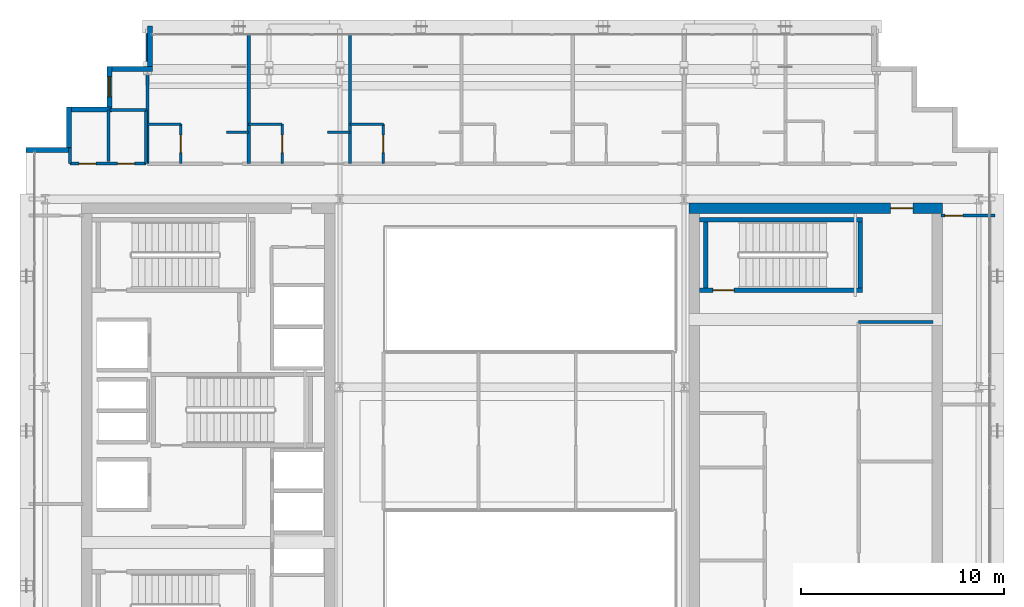
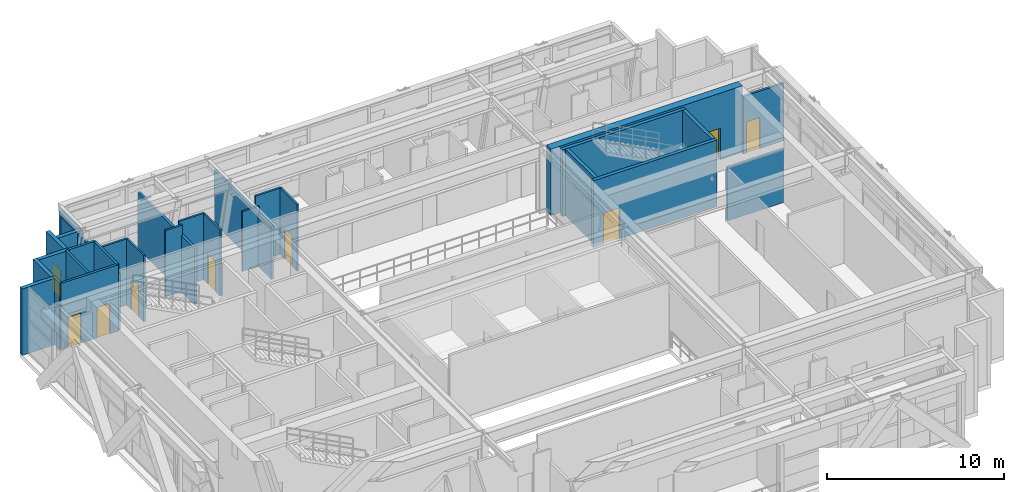
# One storey, part 26 of 31: 29 walls, 8 doors, 1 window, 9 openings.
"""IFC4 building model written with IfcOpenShell, lengths in metres."""

import ifcopenshell
import ifcopenshell.guid

model = None  # the IFC model being written
_history = None  # IfcOwnerHistory: only IFC2X3 demands one
_inside = {}  # id of a spatial element -> (the spatial element, [elements in it])
_under = {}  # id of a project, library or spatial element -> (it, [spatial elements below it])
_declared = {}  # id of a project -> (the project, [libraries it declares])
_typed = {}  # id of a type object -> (the type object, [elements of that type])
_made_of = {}  # id of a material, layer set ... -> (it, [elements and type objects made of it])


def new_model(schema):
    """Start an empty IFC model of exactly this schema.

    Asked for "IFC4X3", IfcOpenShell would pick the latest addendum, in which some entities
    have other attributes; the version numbers below select the first issue.
    IFC2X3 requires an IfcOwnerHistory on every rooted entity: one is made here for all.
    """
    global model, _history
    if schema == "IFC4X3":
        model = ifcopenshell.file(schema_version=(4, 3, 0, 0))
    else:
        model = ifcopenshell.file(schema=schema)
    _inside.clear()
    _under.clear()
    _declared.clear()
    _typed.clear()
    _made_of.clear()
    _history = None
    if model.schema == "IFC2X3":
        org = make("IfcOrganization", Name="unknown")
        user = make(
            "IfcPersonAndOrganization",
            ThePerson=make("IfcPerson", FamilyName="unknown"),
            TheOrganization=org,
        )
        app = make(
            "IfcApplication",
            ApplicationDeveloper=org,
            Version="unknown",
            ApplicationFullName="unknown",
            ApplicationIdentifier="unknown",
        )
        _history = make(
            "IfcOwnerHistory",
            OwningUser=user,
            OwningApplication=app,
            ChangeAction="ADDED",
            CreationDate=0,
        )
    return model


def make(cls, **values):
    """One entity of the class cls with the attributes given. An attribute that is None is left unset."""
    return model.create_entity(
        cls, **{name: value for name, value in values.items() if value is not None}
    )


def rooted(cls, **values):
    """An entity with a GlobalId (a new one), such as an element, a storey or a relation."""
    return make(cls, GlobalId=ifcopenshell.guid.new(), OwnerHistory=_history, **values)


def si_unit(unit_type, name, prefix=None):
    """IfcSIUnit, for example si_unit("LENGTHUNIT", "METRE", prefix="MILLI")."""
    return make("IfcSIUnit", UnitType=unit_type, Prefix=prefix, Name=name)


def assignment(units):
    """IfcUnitAssignment: the units of a project."""
    return None if units is None else make("IfcUnitAssignment", Units=units)


def point(xyz):
    """IfcCartesianPoint."""
    return None if xyz is None else make("IfcCartesianPoint", Coordinates=xyz)


def direction(xyz):
    """IfcDirection."""
    return None if xyz is None else make("IfcDirection", DirectionRatios=xyz)


def frame(location, z_axis=None, x_axis=None):
    """IfcAxis2Placement3D, a coordinate frame: its origin and axes. An axis left out is left unset."""
    return make(
        "IfcAxis2Placement3D",
        Location=point(location),
        Axis=direction(z_axis),
        RefDirection=direction(x_axis),
    )


def frame_2d(location, x_axis=None):
    """IfcAxis2Placement2D, a coordinate frame in the plane: its origin and x axis."""
    return make(
        "IfcAxis2Placement2D", Location=point(location), RefDirection=direction(x_axis)
    )


def origin():
    """The frame at (0, 0, 0) with its axes left unset."""
    return frame((0.0, 0.0, 0.0))


def place(relative_to, where):
    """IfcLocalPlacement: puts the frame where relative to a parent placement (None: the world)."""
    return make(
        "IfcLocalPlacement", PlacementRelTo=relative_to, RelativePlacement=where
    )


def context(
    kind, dimensions, precision=None, world=None, true_north=None, identifier=None
):
    """IfcGeometricRepresentationContext, for example the 3D "Model" context."""
    return make(
        "IfcGeometricRepresentationContext",
        ContextIdentifier=identifier,
        ContextType=kind,
        CoordinateSpaceDimension=dimensions,
        Precision=precision,
        WorldCoordinateSystem=world,
        TrueNorth=true_north,
    )


def subcontext(parent, identifier, kind, view, scale=None):
    """IfcGeometricRepresentationSubContext, for example "Body" below "Model"."""
    return make(
        "IfcGeometricRepresentationSubContext",
        ContextIdentifier=identifier,
        ContextType=kind,
        ParentContext=parent,
        TargetScale=scale,
        TargetView=view,
    )


def project(units=None, contexts=None):
    """IfcProject with its units and contexts."""
    return rooted(
        "IfcProject",
        Name="project",
        RepresentationContexts=contexts,
        UnitsInContext=assignment(units),
    )


def spatial(cls, under=None, at=None, **own):
    """A site, building, storey or space (cls), placed at a placement, below another one or the project."""
    s = rooted(cls, ObjectPlacement=at, **own)
    if under is not None:
        _under.setdefault(under.id(), (under, []))[1].append(s)
    return s


def profile(cls, at=None, kind="AREA", **sizes):
    """A parametric profile (cls). Its sizes go by their IFC names, for example OverallWidth=200.0."""
    return make(cls, ProfileType=kind, Position=at, **sizes)


def rectangle(**sizes):
    """IfcRectangleProfileDef."""
    return profile("IfcRectangleProfileDef", **sizes)


def extrude(swept, where, along, depth):
    """IfcExtrudedAreaSolid: the profile swept, set in the frame where, extruded along a direction by depth."""
    return make(
        "IfcExtrudedAreaSolid",
        SweptArea=swept,
        Position=where,
        ExtrudedDirection=direction(along),
        Depth=depth,
    )


def shape(context_of_items, identifier, shape_type, items):
    """IfcShapeRepresentation: the items that make up one representation, for example the "Body"."""
    return make(
        "IfcShapeRepresentation",
        ContextOfItems=context_of_items,
        RepresentationIdentifier=identifier,
        RepresentationType=shape_type,
        Items=items,
    )


def source(mapping_origin, context_of_items, identifier, shape_type, items):
    """IfcRepresentationMap: a shape defined once, which mapped items show again and again."""
    return make(
        "IfcRepresentationMap",
        MappingOrigin=mapping_origin,
        MappedRepresentation=shape(context_of_items, identifier, shape_type, items),
    )


def transform(
    local_origin,
    x_axis=None,
    y_axis=None,
    z_axis=None,
    scale=None,
    scale2=None,
    scale3=None,
    uniform=True,
):
    """IfcCartesianTransformationOperator3D, or its non-uniform kind. x_axis, y_axis, z_axis: its Axis1, 2, 3."""
    if uniform:
        return make(
            "IfcCartesianTransformationOperator3D",
            Axis1=direction(x_axis),
            Axis2=direction(y_axis),
            LocalOrigin=point(local_origin),
            Scale=scale,
            Axis3=direction(z_axis),
        )
    return make(
        "IfcCartesianTransformationOperator3DnonUniform",
        Axis1=direction(x_axis),
        Axis2=direction(y_axis),
        LocalOrigin=point(local_origin),
        Scale=scale,
        Axis3=direction(z_axis),
        Scale2=scale2,
        Scale3=scale3,
    )


def mapped(mapping_source, mapping_target):
    """IfcMappedItem: shows the shape of a source again, moved by a transform."""
    return make(
        "IfcMappedItem", MappingSource=mapping_source, MappingTarget=mapping_target
    )


def material(Name=None, Category=None):
    """IfcMaterial."""
    return make("IfcMaterial", Name=Name, Category=Category)


def layer(
    of_material, thickness, ventilated=None, Name=None, Category=None, Priority=None
):
    """IfcMaterialLayer: one layer of a wall or slab, of a material (None: an air gap)."""
    return make(
        "IfcMaterialLayer",
        Material=of_material,
        LayerThickness=thickness,
        IsVentilated=ventilated,
        Name=Name,
        Category=Category,
        Priority=Priority,
    )


def layer_set(layers, Name=None):
    """IfcMaterialLayerSet."""
    return make("IfcMaterialLayerSet", MaterialLayers=layers, LayerSetName=Name)


def made_of(thing, what):
    """Note that an element or type object is made of a material, layer set ...; save() writes the relation."""
    if what is not None:
        _made_of.setdefault(what.id(), (what, []))[1].append(thing)
    return thing


def type_object(cls, material=None, **own):
    """A type object (cls), such as IfcWallType, which elements share."""
    return made_of(rooted(cls, **own), material)


def element(
    cls,
    number,
    at=None,
    inside=None,
    cuts=None,
    type_object=None,
    material=None,
    context=None,
    identifier="Body",
    shape_type=None,
    held_by="IfcProductDefinitionShape",
    body=None,
    shapes=None,
    **own,
):
    """One element of the class cls, such as IfcWall. Its Tag is "e" and its number.

    at: its placement. inside: the storey or other place that contains it. cuts: it is an
    opening in that element (IfcRelVoidsElement). A single representation is given by context,
    identifier, shape_type and body (its items); several are given by shapes. held_by: the class
    of the entity that holds the representations. save() writes the other relations.
    """
    e = rooted(cls, Tag="e%d" % number, ObjectPlacement=at, **own)
    if body is not None:
        shapes = [shape(context, identifier, shape_type, body)]
    if shapes is not None:
        e.Representation = make(held_by, Representations=shapes)
    if inside is not None:
        _inside.setdefault(inside.id(), (inside, []))[1].append(e)
    if cuts is not None:
        rooted(
            "IfcRelVoidsElement", RelatingBuildingElement=cuts, RelatedOpeningElement=e
        )
    if type_object is not None:
        _typed.setdefault(type_object.id(), (type_object, []))[1].append(e)
    return made_of(e, material)


def fill(opening, filler):
    """IfcRelFillsElement: the door or window that sits in an opening."""
    return rooted(
        "IfcRelFillsElement",
        RelatingOpeningElement=opening,
        RelatedBuildingElement=filler,
    )


def aggregate(whole, parts):
    """IfcRelAggregates: a whole, such as a stair, and the parts it consists of."""
    return rooted("IfcRelAggregates", RelatingObject=whole, RelatedObjects=parts)


def save(model, path):
    """Write the relations noted so far, then the file.

    IfcRelAggregates (storeys below a building ...), IfcRelContainedInSpatialStructure (elements
    in a storey), IfcRelDefinesByType, IfcRelAssociatesMaterial and IfcRelDeclares: one each for
    every whole, place, type object, material and project.
    """
    for whole, parts in _under.values():
        aggregate(whole, parts)
    for where, things in _inside.values():
        rooted(
            "IfcRelContainedInSpatialStructure",
            RelatedElements=things,
            RelatingStructure=where,
        )
    for kind, things in _typed.values():
        rooted("IfcRelDefinesByType", RelatedObjects=things, RelatingType=kind)
    for what, things in _made_of.values():
        rooted("IfcRelAssociatesMaterial", RelatedObjects=things, RelatingMaterial=what)
    for by, libraries in _declared.values():
        rooted("IfcRelDeclares", RelatingContext=by, RelatedDefinitions=libraries)
    model.write(path)


model = new_model("IFC4")

# Units and contexts
model_context = context("Model", 3, precision=1e-05, world=origin(), true_north=direction((0.0, 1.0)))
body_context = subcontext(model_context, "Body", "Model", "MODEL_VIEW")
ifc_project = project(units=[si_unit("LENGTHUNIT", "METRE"), si_unit("AREAUNIT", "SQUARE_METRE"), si_unit("VOLUMEUNIT", "CUBIC_METRE"), si_unit("PLANEANGLEUNIT", "RADIAN"), si_unit("MASSUNIT", "GRAM", prefix="KILO")], contexts=[model_context])

# Site, building, storey
site_placement = place(None, origin())
site = spatial("IfcSite", under=ifc_project, at=site_placement, CompositionType="ELEMENT")
building_placement = place(site_placement, origin())
building = spatial("IfcBuilding", under=site, at=building_placement, Name="Ocotamira Hotel", CompositionType="ELEMENT")
storey_placement = place(building_placement, frame((0.0, 0.0, 228.0)))
storey = spatial("IfcBuildingStorey", under=building, at=storey_placement, Name="L57", CompositionType="ELEMENT", Elevation=228.0)

# Wall, opening, door
ifc_material_1 = material(Name="Concrete C50/60", Category="concrete")
ifc_layer_1 = layer(ifc_material_1, 0.5)
ifc_layer_set_1 = layer_set([ifc_layer_1], Name="Concrete C50/60")
wall_type_1 = type_object("IfcWallType", Name="WL-CORE-500", PredefinedType="SHEAR", material=ifc_layer_set_1)
wall_1_placement = place(storey_placement, frame((40.75, 37.0, 0.0), z_axis=(0.0, 0.0, 1.0), x_axis=(1.0, 0.0, 0.0)))
wall_1 = element("IfcWall", 1, at=wall_1_placement, inside=storey, type_object=wall_type_1, Name="L57 Shear Core Wall ECORE-N", PredefinedType="SHEAR", context=body_context, shape_type="SweptSolid", body=[
    extrude(rectangle(XDim=12.5, YDim=0.5, at=frame_2d((6.25, 0.0))), origin(), (0.0, 0.0, 1.0), 4.580078125),
])
opening_1_placement = place(wall_1_placement, frame((9.949951171875, 0.0, 0.0)))
opening_1 = element("IfcOpeningElement", 2, at=opening_1_placement, cuts=wall_1, Name="Opening D-FR1", PredefinedType="OPENING", context=body_context, shape_type="SweptSolid", body=[
    extrude(rectangle(XDim=1.10009765625, YDim=2.14990234375, at=frame_2d((0.550048828125, 1.074951171875))), frame((0.0, 0.260009765625, 0.0), z_axis=(0.0, -1.0, 0.0), x_axis=(1.0, 0.0, 0.0)), (0.0, 0.0, 1.0), 0.52001953125),
])
ifc_material_2 = material(Name="Fire-rated acoustic timber-veneer door", Category="wood")
door_type_1 = type_object("IfcDoorType", Name="DR-FIRE-1100", OperationType="NOTDEFINED", PredefinedType="DOOR", material=ifc_material_2)
shared_shape_1 = source(origin(), body_context, "Body", "SweptSolid", [
    extrude(rectangle(XDim=1.10009765625, YDim=2.14990234375, at=frame_2d((0.550048828125, 1.074951171875))), frame((0.0, 0.02490234375, 0.0), z_axis=(0.0, -1.0, 0.0), x_axis=(1.0, 0.0, 0.0)), (0.0, 0.0, 1.0), 0.050048828125),
])
door_1_placement = place(opening_1_placement, origin())
door_1 = element("IfcDoor", 3, at=door_1_placement, inside=storey, type_object=door_type_1, Name="L57 Door ID-L57-ELOB-N-D [ID-L57-ELOB-N-D]", OperationType="SINGLE_SWING_LEFT", OverallHeight=2.14990234375, OverallWidth=1.10009765625, PredefinedType="DOOR", context=body_context, shape_type="MappedRepresentation", body=[
    mapped(shared_shape_1, transform((0.0, 0.0, 0.0), scale=1.0)),
])
fill(opening_1, door_1)

# Walls
ifc_material_3 = material(Name="Precast concrete C45/55", Category="concrete")
ifc_layer_2 = layer(ifc_material_3, 0.25)
ifc_layer_set_2 = layer_set([ifc_layer_2], Name="Precast concrete C45/55")
wall_type_2 = type_object("IfcWallType", Name="WL-EXT-SER-250", PredefinedType="SOLIDWALL", material=ifc_layer_set_2)
for number, where, z_axis, x_axis, name in (
    (4, (14.125, 46.0, 0.0), (0.0, 0.0, 1.0), (0.0, -1.0, 0.0), "L57 Serrated Corner Wall 13"),
    (5, (14.25, 43.875, 0.0), (0.0, 0.0, 1.0), (-1.0, 0.0, 0.0), "L57 Serrated Corner Wall 14"),
):
    element("IfcWall", number, at=place(storey_placement, frame(where, z_axis=z_axis, x_axis=x_axis)), inside=storey, type_object=wall_type_2, Name=name, PredefinedType="SOLIDWALL", context=body_context, shape_type="SweptSolid", body=[
        extrude(rectangle(XDim=2.0, YDim=0.25, at=frame_2d((1.0, 0.0))), origin(), (0.0, 0.0, 1.0), 4.04296875),
    ])

# Wall, opening, window
wall_2_placement = place(storey_placement, frame((12.125, 44.0, 0.0), z_axis=(0.0, 0.0, 1.0), x_axis=(0.0, -1.0, 0.0)))
wall_2 = element("IfcWall", 6, at=wall_2_placement, inside=storey, type_object=wall_type_2, Name="L57 Serrated Corner Wall 15", PredefinedType="SOLIDWALL", context=body_context, shape_type="SweptSolid", body=[
    extrude(rectangle(XDim=2.0, YDim=0.25, at=frame_2d((1.0, 0.0))), origin(), (0.0, 0.0, 1.0), 4.580078125),
])
opening_2_placement = place(wall_2_placement, frame((0.5, 0.0, 0.85009765625)))
opening_2 = element("IfcOpeningElement", 7, at=opening_2_placement, cuts=wall_2, Name="Opening WN-2", PredefinedType="OPENING", context=body_context, shape_type="SweptSolid", body=[
    extrude(rectangle(XDim=1.0, YDim=1.89990234375, at=frame_2d((0.5, 0.949951171875))), frame((0.0, 0.135009765625, 0.0), z_axis=(0.0, -1.0, 0.0), x_axis=(1.0, 0.0, 0.0)), (0.0, 0.0, 1.0), 0.27001953125),
])
ifc_material_4 = material(Name="Double-silver low-E solar glass", Category="glass")
window_type = type_object("IfcWindowType", Name="WIN-SER-1100", PartitioningType="SINGLE_PANEL", PredefinedType="WINDOW", material=ifc_material_4)
shared_shape_2 = source(origin(), body_context, "Body", "SweptSolid", [
    extrude(rectangle(XDim=1.0, YDim=1.89990234375, at=frame_2d((0.5, 0.949951171875))), frame((0.0, 0.030029296875, 0.0), z_axis=(0.0, -1.0, 0.0), x_axis=(1.0, 0.0, 0.0)), (0.0, 0.0, 1.0), 0.06005859375),
])
window_placement = place(opening_2_placement, origin())
window = element("IfcWindow", 8, at=window_placement, inside=storey, type_object=window_type, Name="L57 Serrated Corner Window 15", OverallHeight=1.89990234375, OverallWidth=1.0, PartitioningType="SINGLE_PANEL", PredefinedType="WINDOW", context=body_context, shape_type="MappedRepresentation", body=[
    mapped(shared_shape_2, transform((0.0, 0.0, 0.0), scale=1.0)),
])
fill(opening_2, window)

# Walls
for number, where, z_axis, x_axis, name in (
    (9, (12.25, 41.875, 0.0), (0.0, 0.0, 1.0), (-1.0, 0.0, 0.0), "L57 Serrated Corner Wall 16"),
    (10, (10.125, 42.0, 0.0), (0.0, 0.0, 1.0), (0.0, -1.0, 0.0), "L57 Serrated Corner Wall 17"),
):
    element("IfcWall", number, at=place(storey_placement, frame(where, z_axis=z_axis, x_axis=x_axis)), inside=storey, type_object=wall_type_2, Name=name, PredefinedType="SOLIDWALL", context=body_context, shape_type="SweptSolid", body=[
        extrude(rectangle(XDim=2.0, YDim=0.25, at=frame_2d((1.0, 0.0))), origin(), (0.0, 0.0, 1.0), 4.580078125),
    ])
wall_3_placement = place(storey_placement, frame((10.25, 39.875, 0.0), z_axis=(0.0, 0.0, 1.0), x_axis=(-1.0, 0.0, 0.0)))
element("IfcWall", 11, at=wall_3_placement, inside=storey, type_object=wall_type_2, Name="L57 Serrated Corner Wall 18", PredefinedType="SOLIDWALL", context=body_context, shape_type="SweptSolid", body=[
    extrude(rectangle(XDim=2.25, YDim=0.25, at=frame_2d((1.125, 0.0))), origin(), (0.0, 0.0, 1.0), 4.580078125),
])
ifc_material_5 = material(Name="Acoustic double-layer fire gypsum board partition", Category="gypsum")
ifc_layer_3 = layer(ifc_material_5, 0.159912109375)
ifc_layer_set_3 = layer_set([ifc_layer_3], Name="Acoustic double-layer fire gypsum board partition")
wall_type_3 = type_object("IfcWallType", Name="WL-FIRE-160", PredefinedType="PARTITIONING", material=ifc_layer_set_3)
wall_4_placement = place(storey_placement, frame((49.1201171875, 31.3798828125, 0.0), z_axis=(0.0, 0.0, 1.0), x_axis=(1.0, 0.0, 0.0)))
element("IfcWall", 12, at=wall_4_placement, inside=storey, type_object=wall_type_3, Name="L57 Interior Wall PW-L57-EC-FLOW-N", PredefinedType="PARTITIONING", context=body_context, shape_type="SweptSolid", body=[
    extrude(rectangle(XDim=3.679931640625, YDim=0.159912109375, at=frame_2d((1.83984375, 0.0))), origin(), (0.0, 0.0, 1.0), 3.679931640625),
])

# Wall, opening, door
ifc_material_6 = material(Name="Moisture-resistant en-suite tile and gypsum partition", Category="gypsum")
ifc_layer_4 = layer(ifc_material_6, 0.1201171875)
ifc_layer_set_4 = layer_set([ifc_layer_4], Name="Moisture-resistant en-suite tile and gypsum partition")
wall_type_4 = type_object("IfcWallType", Name="WL-PART-120", PredefinedType="PARTITIONING", material=ifc_layer_set_4)
wall_5_placement = place(storey_placement, frame((15.64990234375, 39.199951171875, 0.0), z_axis=(0.0, 0.0, 1.0), x_axis=(0.0, 1.0, 0.0)))
wall_5 = element("IfcWall", 13, at=wall_5_placement, inside=storey, type_object=wall_type_4, Name="L57 Interior Wall PW-L57-L57N-BAE1", PredefinedType="PARTITIONING", context=body_context, shape_type="SweptSolid", body=[
    extrude(rectangle(XDim=1.949951171875, YDim=0.1201171875, at=frame_2d((0.97509765625, 0.0))), origin(), (0.0, 0.0, 1.0), 4.580078125),
])
opening_3_placement = place(wall_5_placement, frame((0.544921875, 0.0, 0.0)))
opening_3 = element("IfcOpeningElement", 14, at=opening_3_placement, cuts=wall_5, Name="Opening D-BA1", PredefinedType="OPENING", context=body_context, shape_type="SweptSolid", body=[
    extrude(rectangle(XDim=0.860107421875, YDim=2.10009765625, at=frame_2d((0.43017578125, 1.050048828125))), frame((0.0, 0.070068359375, 0.0), z_axis=(0.0, -1.0, 0.0), x_axis=(1.0, 0.0, 0.0)), (0.0, 0.0, 1.0), 0.14013671875),
])
ifc_material_7 = material(Name="Moisture-sealed en-suite timber door", Category="wood")
door_type_2 = type_object("IfcDoorType", Name="DR-BATH-860", OperationType="NOTDEFINED", PredefinedType="DOOR", material=ifc_material_7)
shared_shape_3 = source(origin(), body_context, "Body", "SweptSolid", [
    extrude(rectangle(XDim=0.860107421875, YDim=2.10009765625, at=frame_2d((0.43017578125, 1.050048828125))), frame((0.0, 0.02490234375, 0.0), z_axis=(0.0, -1.0, 0.0), x_axis=(1.0, 0.0, 0.0)), (0.0, 0.0, 1.0), 0.050048828125),
])
door_2_placement = place(opening_3_placement, origin())
door_2 = element("IfcDoor", 15, at=door_2_placement, inside=storey, type_object=door_type_2, Name="L57 Door ID-L57-L57N-BAD1 [ID-L57-L57N-BAD1]", OperationType="SINGLE_SWING_RIGHT", OverallHeight=2.10009765625, OverallWidth=0.860107421875, PredefinedType="DOOR", context=body_context, shape_type="MappedRepresentation", body=[
    mapped(shared_shape_3, transform((0.0, 0.0, 0.0), scale=1.0)),
])
fill(opening_3, door_2)

# Walls
wall_6_placement = place(storey_placement, frame((14.0, 41.14990234375, 0.0), z_axis=(0.0, 0.0, 1.0), x_axis=(1.0, 0.0, 0.0)))
element("IfcWall", 16, at=wall_6_placement, inside=storey, type_object=wall_type_4, Name="L57 Interior Wall PW-L57-L57N-BAN1", PredefinedType="PARTITIONING", context=body_context, shape_type="SweptSolid", body=[
    extrude(rectangle(XDim=1.64990234375, YDim=0.1201171875, at=frame_2d((0.824951171875, 0.0))), origin(), (0.0, 0.0, 1.0), 4.580078125),
])
wall_7_placement = place(storey_placement, frame((17.89990234375, 40.75, 0.0), z_axis=(0.0, 0.0, 1.0), x_axis=(1.0, 0.0, 0.0)))
element("IfcWall", 17, at=wall_7_placement, inside=storey, type_object=wall_type_4, Name="L57 Interior Wall PW-L57-L57N-DRN1", PredefinedType="PARTITIONING", context=body_context, shape_type="SweptSolid", body=[
    extrude(rectangle(XDim=1.10009765625, YDim=0.1201171875, at=frame_2d((0.550048828125, 0.0))), origin(), (0.0, 0.0, 1.0), 4.580078125),
])

# Wall, opening, door
wall_8_placement = place(storey_placement, frame((20.64990234375, 39.199951171875, 0.0), z_axis=(0.0, 0.0, 1.0), x_axis=(0.0, 1.0, 0.0)))
wall_8 = element("IfcWall", 18, at=wall_8_placement, inside=storey, type_object=wall_type_4, Name="L57 Interior Wall PW-L57-L57N-BAE2", PredefinedType="PARTITIONING", context=body_context, shape_type="SweptSolid", body=[
    extrude(rectangle(XDim=1.949951171875, YDim=0.1201171875, at=frame_2d((0.97509765625, 0.0))), origin(), (0.0, 0.0, 1.0), 4.580078125),
])
opening_4_placement = place(wall_8_placement, frame((0.544921875, 0.0, 0.0)))
opening_4 = element("IfcOpeningElement", 19, at=opening_4_placement, cuts=wall_8, Name="Opening D-BA1", PredefinedType="OPENING", context=body_context, shape_type="SweptSolid", body=[
    extrude(rectangle(XDim=0.860107421875, YDim=2.10009765625, at=frame_2d((0.43017578125, 1.050048828125))), frame((0.0, 0.070068359375, 0.0), z_axis=(0.0, -1.0, 0.0), x_axis=(1.0, 0.0, 0.0)), (0.0, 0.0, 1.0), 0.14013671875),
])
door_3_placement = place(opening_4_placement, origin())
door_3 = element("IfcDoor", 20, at=door_3_placement, inside=storey, type_object=door_type_2, Name="L57 Door ID-L57-L57N-BAD2 [ID-L57-L57N-BAD2]", OperationType="SINGLE_SWING_LEFT", OverallHeight=2.10009765625, OverallWidth=0.860107421875, PredefinedType="DOOR", context=body_context, shape_type="MappedRepresentation", body=[
    mapped(shared_shape_3, transform((0.0, 0.0, 0.0), scale=1.0)),
])
fill(opening_4, door_3)

# Walls
wall_9_placement = place(storey_placement, frame((19.0, 41.14990234375, 0.0), z_axis=(0.0, 0.0, 1.0), x_axis=(1.0, 0.0, 0.0)))
element("IfcWall", 21, at=wall_9_placement, inside=storey, type_object=wall_type_4, Name="L57 Interior Wall PW-L57-L57N-BAN2", PredefinedType="PARTITIONING", context=body_context, shape_type="SweptSolid", body=[
    extrude(rectangle(XDim=1.64990234375, YDim=0.1201171875, at=frame_2d((0.824951171875, 0.0))), origin(), (0.0, 0.0, 1.0), 4.580078125),
])
wall_10_placement = place(storey_placement, frame((22.89990234375, 40.75, 0.0), z_axis=(0.0, 0.0, 1.0), x_axis=(1.0, 0.0, 0.0)))
element("IfcWall", 22, at=wall_10_placement, inside=storey, type_object=wall_type_4, Name="L57 Interior Wall PW-L57-L57N-DRN2", PredefinedType="PARTITIONING", context=body_context, shape_type="SweptSolid", body=[
    extrude(rectangle(XDim=1.10009765625, YDim=0.1201171875, at=frame_2d((0.550048828125, 0.0))), origin(), (0.0, 0.0, 1.0), 4.123046875),
])

# Wall, opening, door
wall_11_placement = place(storey_placement, frame((25.64990234375, 39.199951171875, 0.0), z_axis=(0.0, 0.0, 1.0), x_axis=(0.0, 1.0, 0.0)))
wall_11 = element("IfcWall", 23, at=wall_11_placement, inside=storey, type_object=wall_type_4, Name="L57 Interior Wall PW-L57-L57N-BAE3", PredefinedType="PARTITIONING", context=body_context, shape_type="SweptSolid", body=[
    extrude(rectangle(XDim=1.949951171875, YDim=0.1201171875, at=frame_2d((0.97509765625, 0.0))), origin(), (0.0, 0.0, 1.0), 4.580078125),
])
opening_5_placement = place(wall_11_placement, frame((0.544921875, 0.0, 0.0)))
opening_5 = element("IfcOpeningElement", 24, at=opening_5_placement, cuts=wall_11, Name="Opening D-BA1", PredefinedType="OPENING", context=body_context, shape_type="SweptSolid", body=[
    extrude(rectangle(XDim=0.860107421875, YDim=2.10009765625, at=frame_2d((0.43017578125, 1.050048828125))), frame((0.0, 0.070068359375, 0.0), z_axis=(0.0, -1.0, 0.0), x_axis=(1.0, 0.0, 0.0)), (0.0, 0.0, 1.0), 0.14013671875),
])
door_4_placement = place(opening_5_placement, origin())
door_4 = element("IfcDoor", 25, at=door_4_placement, inside=storey, type_object=door_type_2, Name="L57 Door ID-L57-L57N-BAD3 [ID-L57-L57N-BAD3]", OperationType="SINGLE_SWING_RIGHT", OverallHeight=2.10009765625, OverallWidth=0.860107421875, PredefinedType="DOOR", context=body_context, shape_type="MappedRepresentation", body=[
    mapped(shared_shape_3, transform((0.0, 0.0, 0.0), scale=1.0)),
])
fill(opening_5, door_4)

# Wall
wall_12_placement = place(storey_placement, frame((24.0, 41.14990234375, 0.0), z_axis=(0.0, 0.0, 1.0), x_axis=(1.0, 0.0, 0.0)))
element("IfcWall", 26, at=wall_12_placement, inside=storey, type_object=wall_type_4, Name="L57 Interior Wall PW-L57-L57N-BAN3", PredefinedType="PARTITIONING", context=body_context, shape_type="SweptSolid", body=[
    extrude(rectangle(XDim=1.64990234375, YDim=0.1201171875, at=frame_2d((0.824951171875, 0.0))), origin(), (0.0, 0.0, 1.0), 4.580078125),
])

# Wall, opening, door
ifc_material_8 = material(Name="Acoustic hospitality gypsum board partition", Category="gypsum")
ifc_layer_5 = layer(ifc_material_8, 0.14990234375)
ifc_layer_set_5 = layer_set([ifc_layer_5], Name="Acoustic hospitality gypsum board partition")
wall_type_5 = type_object("IfcWallType", Name="WL-PART-150", PredefinedType="PARTITIONING", material=ifc_layer_set_5)
wall_13_placement = place(storey_placement, frame((53.179931640625, 36.639892578125, 0.0), z_axis=(0.0, 0.0, 1.0), x_axis=(1.0, 0.0, 0.0)))
wall_13 = element("IfcWall", 27, at=wall_13_placement, inside=storey, type_object=wall_type_5, Name="L57 Interior Wall PW-L57-L57E-WN", PredefinedType="PARTITIONING", context=body_context, shape_type="SweptSolid", body=[
    extrude(rectangle(XDim=2.66015625, YDim=0.14990234375, at=frame_2d((1.330078125, 0.0))), origin(), (0.0, 0.0, 1.0), 3.962890625),
])
opening_6_placement = place(wall_13_placement, frame((0.199951171875, 0.0, 0.0)))
opening_6 = element("IfcOpeningElement", 28, at=opening_6_placement, cuts=wall_13, Name="Opening D-SV2", PredefinedType="OPENING", context=body_context, shape_type="SweptSolid", body=[
    extrude(rectangle(XDim=0.8798828125, YDim=2.14990234375, at=frame_2d((0.43994140625, 1.074951171875))), frame((0.0, 0.0849609375, 0.0), z_axis=(0.0, -1.0, 0.0), x_axis=(1.0, 0.0, 0.0)), (0.0, 0.0, 1.0), 0.169921875),
])
ifc_material_9 = material(Name="Fire-rated painted steel service door", Category="steel")
door_type_3 = type_object("IfcDoorType", Name="DR-SERV-880", OperationType="NOTDEFINED", PredefinedType="DOOR", material=ifc_material_9)
shared_shape_4 = source(origin(), body_context, "Body", "SweptSolid", [
    extrude(rectangle(XDim=0.8798828125, YDim=2.14990234375, at=frame_2d((0.43994140625, 1.074951171875))), frame((0.0, 0.02490234375, 0.0), z_axis=(0.0, -1.0, 0.0), x_axis=(1.0, 0.0, 0.0)), (0.0, 0.0, 1.0), 0.050048828125),
])
door_5_placement = place(opening_6_placement, origin())
door_5 = element("IfcDoor", 29, at=door_5_placement, inside=storey, type_object=door_type_3, Name="L57 Door ID-L57-L57E-DN [ID-L57-L57E-DN]", OperationType="SINGLE_SWING_LEFT", OverallHeight=2.14990234375, OverallWidth=0.8798828125, PredefinedType="DOOR", context=body_context, shape_type="MappedRepresentation", body=[
    mapped(shared_shape_4, transform((0.0, 0.0, 0.0), scale=1.0)),
])
fill(opening_6, door_5)

# Walls
wall_14_placement = place(storey_placement, frame((12.080078125, 39.300048828125, 0.0), z_axis=(0.0, 0.0, 1.0), x_axis=(0.0, 1.0, 0.0)))
element("IfcWall", 30, at=wall_14_placement, inside=storey, type_object=wall_type_5, Name="L57 Interior Wall PW-L57-SKY-WCDIV", PredefinedType="PARTITIONING", context=body_context, shape_type="SweptSolid", body=[
    extrude(rectangle(XDim=2.550048828125, YDim=0.14990234375, at=frame_2d((1.27490234375, 0.0))), origin(), (0.0, 0.0, 1.0), 4.580078125),
])
wall_15_placement = place(storey_placement, frame((10.179931640625, 39.199951171875, 0.0), z_axis=(0.0, 0.0, 1.0), x_axis=(0.0, 1.0, 0.0)))
element("IfcWall", 31, at=wall_15_placement, inside=storey, type_object=wall_type_5, Name="L57 Interior Wall PW-L57-SKY-WCW", PredefinedType="PARTITIONING", context=body_context, shape_type="SweptSolid", body=[
    extrude(rectangle(XDim=0.780029296875, YDim=0.14990234375, at=frame_2d((0.39013671875, 0.0))), origin(), (0.0, 0.0, 1.0), 4.580078125),
])
wall_16_placement = place(storey_placement, frame((13.919921875, 39.199951171875, 0.0), z_axis=(0.0, 0.0, 1.0), x_axis=(0.0, 1.0, 0.0)))
element("IfcWall", 32, at=wall_16_placement, inside=storey, type_object=wall_type_5, Name="L57 Interior Wall PW-L57-SKY-WCE", PredefinedType="PARTITIONING", context=body_context, shape_type="SweptSolid", body=[
    extrude(rectangle(XDim=2.650146484375, YDim=0.14990234375, at=frame_2d((1.3251953125, 0.0))), origin(), (0.0, 0.0, 1.0), 4.580078125),
])
wall_17_placement = place(storey_placement, frame((12.14990234375, 41.85009765625, 0.0), z_axis=(0.0, 0.0, 1.0), x_axis=(1.0, 0.0, 0.0)))
element("IfcWall", 33, at=wall_17_placement, inside=storey, type_object=wall_type_5, Name="L57 Interior Wall PW-L57-SKY-WCN", PredefinedType="PARTITIONING", context=body_context, shape_type="SweptSolid", body=[
    extrude(rectangle(XDim=1.77001953125, YDim=0.14990234375, at=frame_2d((0.885009765625, 0.0))), origin(), (0.0, 0.0, 1.0), 4.580078125),
])

# Wall, openings, doors
wall_18_placement = place(storey_placement, frame((10.179931640625, 39.199951171875, 0.0), z_axis=(0.0, 0.0, 1.0), x_axis=(1.0, 0.0, 0.0)))
wall_18 = element("IfcWall", 34, at=wall_18_placement, inside=storey, type_object=wall_type_5, Name="L57 Interior Wall PW-L57-SKY-WCS", PredefinedType="PARTITIONING", context=body_context, shape_type="SweptSolid", body=[
    extrude(rectangle(XDim=3.739990234375, YDim=0.14990234375, at=frame_2d((1.8701171875, 0.0))), origin(), (0.0, 0.0, 1.0), 4.580078125),
])
opening_7_placement = place(wall_18_placement, frame((0.449951171875, 0.0, 0.0)))
opening_7 = element("IfcOpeningElement", 35, at=opening_7_placement, cuts=wall_18, Name="Opening D-SV1", PredefinedType="OPENING", context=body_context, shape_type="SweptSolid", body=[
    extrude(rectangle(XDim=0.840087890625, YDim=2.10009765625, at=frame_2d((0.419921875, 1.050048828125))), frame((0.0, 0.0849609375, 0.0), z_axis=(0.0, -1.0, 0.0), x_axis=(1.0, 0.0, 0.0)), (0.0, 0.0, 1.0), 0.169921875),
])
opening_8_placement = place(wall_18_placement, frame((2.35009765625, 0.0, 0.0)))
opening_8 = element("IfcOpeningElement", 36, at=opening_8_placement, cuts=wall_18, Name="Opening D-SV1", PredefinedType="OPENING", context=body_context, shape_type="SweptSolid", body=[
    extrude(rectangle(XDim=0.840087890625, YDim=2.10009765625, at=frame_2d((0.419921875, 1.050048828125))), frame((0.0, 0.0849609375, 0.0), z_axis=(0.0, -1.0, 0.0), x_axis=(1.0, 0.0, 0.0)), (0.0, 0.0, 1.0), 0.169921875),
])
door_type_4 = type_object("IfcDoorType", Name="DR-SERV-840", OperationType="NOTDEFINED", PredefinedType="DOOR", material=ifc_material_9)
shared_shape_5 = source(origin(), body_context, "Body", "SweptSolid", [
    extrude(rectangle(XDim=0.840087890625, YDim=2.10009765625, at=frame_2d((0.419921875, 1.050048828125))), frame((0.0, 0.02490234375, 0.0), z_axis=(0.0, -1.0, 0.0), x_axis=(1.0, 0.0, 0.0)), (0.0, 0.0, 1.0), 0.050048828125),
])
door_6_placement = place(opening_7_placement, origin())
door_6 = element("IfcDoor", 37, at=door_6_placement, inside=storey, type_object=door_type_4, Name="L57 Door ID-L57-SKY-WCD1 [ID-L57-SKY-WCD1]", OperationType="SINGLE_SWING_LEFT", OverallHeight=2.10009765625, OverallWidth=0.840087890625, PredefinedType="DOOR", context=body_context, shape_type="MappedRepresentation", body=[
    mapped(shared_shape_5, transform((0.0, 0.0, 0.0), scale=1.0)),
])
fill(opening_7, door_6)
door_7_placement = place(opening_8_placement, origin())
door_7 = element("IfcDoor", 38, at=door_7_placement, inside=storey, type_object=door_type_4, Name="L57 Door ID-L57-SKY-AWCD [ID-L57-SKY-AWCD]", OperationType="SINGLE_SWING_RIGHT", OverallHeight=2.10009765625, OverallWidth=0.840087890625, PredefinedType="DOOR", context=body_context, shape_type="MappedRepresentation", body=[
    mapped(shared_shape_5, transform((0.0, 0.0, 0.0), scale=1.0)),
])
fill(opening_8, door_7)

# Walls
ifc_material_10 = material(Name="Acoustic double-stud hospitality gypsum partition", Category="gypsum")
ifc_layer_6 = layer(ifc_material_10, 0.159912109375)
ifc_layer_set_6 = layer_set([ifc_layer_6], Name="Acoustic double-stud hospitality gypsum partition")
wall_type_6 = type_object("IfcWallType", Name="WL-PART-160", PredefinedType="PARTITIONING", material=ifc_layer_set_6)
for number, where, z_axis, x_axis, name in (
    (39, (14.0, 39.199951171875, 0.0), (0.0, 0.0, 1.0), (0.0, 1.0, 0.0), "L57 Interior Wall PW-L57-L57N-PW0"),
    (40, (19.0, 39.199951171875, 0.0), (0.0, 0.0, 1.0), (0.0, 1.0, 0.0), "L57 Interior Wall PW-L57-L57N-PW1"),
):
    element("IfcWall", number, at=place(storey_placement, frame(where, z_axis=z_axis, x_axis=x_axis)), inside=storey, type_object=wall_type_6, Name=name, PredefinedType="PARTITIONING", context=body_context, shape_type="SweptSolid", body=[
        extrude(rectangle(XDim=6.43994140625, YDim=0.159912109375, at=frame_2d((3.219970703125, 0.0))), origin(), (0.0, 0.0, 1.0), 3.886962890625),
    ])
wall_19_placement = place(storey_placement, frame((24.0, 39.199951171875, 0.0), z_axis=(0.0, 0.0, 1.0), x_axis=(0.0, 1.0, 0.0)))
element("IfcWall", 41, at=wall_19_placement, inside=storey, type_object=wall_type_6, Name="L57 Interior Wall PW-L57-L57N-PW2", PredefinedType="PARTITIONING", context=body_context, shape_type="SweptSolid", body=[
    extrude(rectangle(XDim=6.43994140625, YDim=0.159912109375, at=frame_2d((3.219970703125, 0.0))), origin(), (0.0, 0.0, 1.0), 3.653076171875),
])

# Wall, opening, door
ifc_layer_7 = layer(ifc_material_1, 0.219970703125)
ifc_layer_set_7 = layer_set([ifc_layer_7], Name="Concrete C50/60")
wall_type_7 = type_object("IfcWallType", Name="WL-STAIR-220", PredefinedType="SHEAR", material=ifc_layer_set_7)
wall_20_placement = place(storey_placement, frame((41.25, 32.93994140625, 0.0), z_axis=(0.0, 0.0, 1.0), x_axis=(1.0, 0.0, 0.0)))
wall_20 = element("IfcWall", 42, at=wall_20_placement, inside=storey, type_object=wall_type_7, Name="L57 Stair Shaft Structural Wall ST-4-S", PredefinedType="SHEAR", context=body_context, shape_type="SweptSolid", body=[
    extrude(rectangle(XDim=8.06005859375, YDim=0.219970703125, at=frame_2d((4.030029296875, 0.0))), origin(), (0.0, 0.0, 1.0), 4.60009765625),
])
opening_9_placement = place(wall_20_placement, frame((0.669921875, 0.0, 0.0)))
opening_9 = element("IfcOpeningElement", 43, at=opening_9_placement, cuts=wall_20, Name="Opening D-ST2", PredefinedType="OPENING", context=body_context, shape_type="SweptSolid", body=[
    extrude(rectangle(XDim=1.050048828125, YDim=2.14990234375, at=frame_2d((0.52490234375, 1.074951171875))), frame((0.0, 0.1201171875, 0.0), z_axis=(0.0, -1.0, 0.0), x_axis=(1.0, 0.0, 0.0)), (0.0, 0.0, 1.0), 0.239990234375),
])
ifc_material_11 = material(Name="Insulated painted hollow-metal fire exit door", Category="steel")
door_type_5 = type_object("IfcDoorType", Name="DR-STAIR-1050", OperationType="NOTDEFINED", PredefinedType="DOOR", material=ifc_material_11)
shared_shape_6 = source(origin(), body_context, "Body", "SweptSolid", [
    extrude(rectangle(XDim=1.050048828125, YDim=2.14990234375, at=frame_2d((0.52490234375, 1.074951171875))), frame((0.0, 0.02490234375, 0.0), z_axis=(0.0, -1.0, 0.0), x_axis=(1.0, 0.0, 0.0)), (0.0, 0.0, 1.0), 0.050048828125),
])
door_8_placement = place(opening_9_placement, origin())
door_8 = element("IfcDoor", 44, at=door_8_placement, inside=storey, type_object=door_type_5, Name="L57 Door ID-L57-STD-ST-4 [ID-L57-STD-ST-4]", OperationType="SINGLE_SWING_LEFT", OverallHeight=2.14990234375, OverallWidth=1.050048828125, PredefinedType="DOOR", context=body_context, shape_type="MappedRepresentation", body=[
    mapped(shared_shape_6, transform((0.0, 0.0, 0.0), scale=1.0)),
])
fill(opening_9, door_8)

# Walls
wall_21_placement = place(storey_placement, frame((41.25, 36.43994140625, 0.0), z_axis=(0.0, 0.0, 1.0), x_axis=(1.0, 0.0, 0.0)))
element("IfcWall", 45, at=wall_21_placement, inside=storey, type_object=wall_type_7, Name="L57 Stair Shaft Structural Wall ST-4-N", PredefinedType="SHEAR", context=body_context, shape_type="SweptSolid", body=[
    extrude(rectangle(XDim=8.06005859375, YDim=0.219970703125, at=frame_2d((4.030029296875, 0.0))), origin(), (0.0, 0.0, 1.0), 4.60009765625),
])
for number, where, z_axis, x_axis, name in (
    (46, (41.56005859375, 33.050048828125, 0.0), (0.0, 0.0, 1.0), (0.0, 1.0, 0.0), "L57 Stair Shaft Structural Wall ST-4-W"),
    (47, (49.199951171875, 33.050048828125, 0.0), (0.0, 0.0, 1.0), (0.0, 1.0, 0.0), "L57 Stair Shaft Structural Wall ST-4-E"),
):
    element("IfcWall", number, at=place(storey_placement, frame(where, z_axis=z_axis, x_axis=x_axis)), inside=storey, type_object=wall_type_7, Name=name, PredefinedType="SHEAR", context=body_context, shape_type="SweptSolid", body=[
        extrude(rectangle(XDim=3.280029296875, YDim=0.219970703125, at=frame_2d((1.64013671875, 0.0))), origin(), (0.0, 0.0, 1.0), 4.60009765625),
    ])

save(model, "model.ifc")
